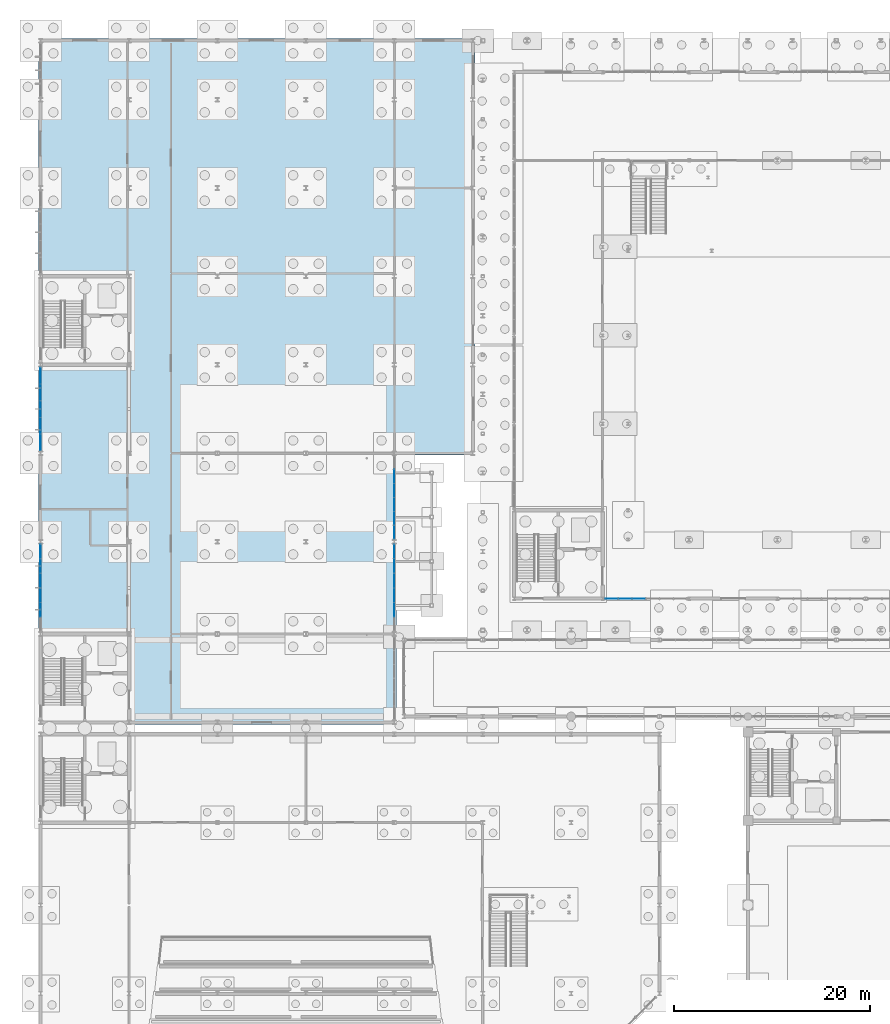
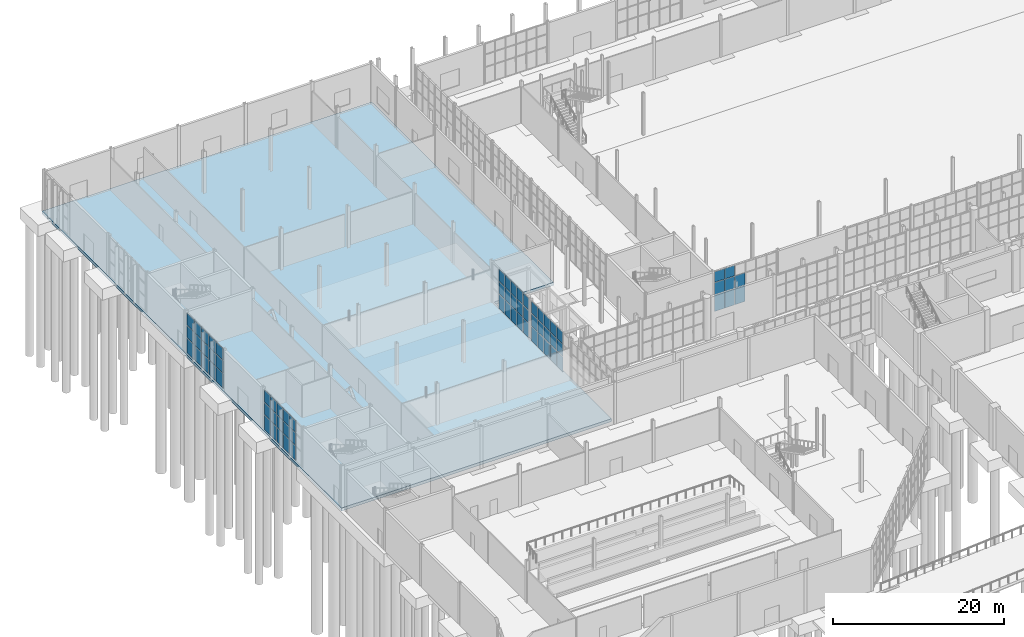
# One storey, part 80 of 131: 68 plates, 1 slab, 5 elements without a shape of their own.
"""IFC4 building model written with IfcOpenShell, lengths in metres."""

from ifc_helpers import new_model, si_unit, direction, frame, origin, origin_2d, place, context, subcontext, project, spatial, polyline, rectangle, outline, extrude, material, layer, layer_set, type_object, element, aggregate, save


model = new_model("IFC4")

# Units and contexts
model_context = context("Model", 3, precision=1e-05, world=origin(), true_north=direction((0.0, 1.0)))
body_context = subcontext(model_context, "Body", "Model", "MODEL_VIEW")
ifc_project = project(units=[si_unit("LENGTHUNIT", "METRE"), si_unit("AREAUNIT", "SQUARE_METRE"), si_unit("VOLUMEUNIT", "CUBIC_METRE"), si_unit("PLANEANGLEUNIT", "RADIAN"), si_unit("MASSUNIT", "GRAM", prefix="KILO")], contexts=[model_context])

# Site, building, storey
site_placement = place(None, origin())
site = spatial("IfcSite", under=ifc_project, at=site_placement, CompositionType="ELEMENT")
building_placement = place(site_placement, origin())
building = spatial("IfcBuilding", under=site, at=building_placement, Name="Cazmaro Siding Exhibition Halls", CompositionType="ELEMENT")
storey_placement = place(building_placement, origin())
storey = spatial("IfcBuildingStorey", under=building, at=storey_placement, Name="L00", CompositionType="ELEMENT", Elevation=0.0)

# Slab
ifc_material_1 = material(Name="Concrete f'c 35 MPa", Category="concrete")
ifc_layer_1 = layer(ifc_material_1, 0.409912109375)
ifc_layer_set_1 = layer_set([ifc_layer_1], Name="Concrete f'c 35 MPa")
slab_type = type_object("IfcSlabType", Name="BS-01", PredefinedType="BASESLAB", material=ifc_layer_set_1)
slab_placement = place(storey_placement, frame((0.0, 0.0, -0.409912109375)))
element("IfcSlab", 1, at=slab_placement, inside=storey, type_object=slab_type, Name="West Wing L00 base slab BS-01 SLB-0009", PredefinedType="BASESLAB", context=body_context, shape_type="SweptSolid", body=[
    extrude(outline(polyline([(-0.199951171875, 54.39990234375), (36.199951171875, 54.39990234375), (36.199951171875, 81.800048828125), (44.199951171875, 81.800048828125), (44.199951171875, 124.199951171875), (-0.199951171875, 124.199951171875), (-0.199951171875, 54.39990234375)])), origin(), (0.0, 0.0, 1.0), 0.409912109375),
])

# Curtain wall, plates
ifc_material_2 = material(Name="Anodized Bronze Aluminum and Solar-Control Low-E Glazing", Category="aluminium")
ifc_layer_2 = layer(ifc_material_2, 0.179931640625)
ifc_layer_set_2 = layer_set([ifc_layer_2], Name="Anodized Bronze Aluminum and Solar-Control Low-E Glazing")
curtain_wall_type_1 = type_object("IfcCurtainWallType", Name="CWS-01", PredefinedType="USERDEFINED", material=ifc_layer_set_2)
curtain_wall_1_placement = place(storey_placement, origin())
curtain_wall_1 = element("IfcCurtainWall", 2, at=curtain_wall_1_placement, inside=storey, type_object=curtain_wall_type_1, Name="Glazed Curtain Wall CWS-01 CW-003", ObjectType="GLAZED CURTAIN WALL", PredefinedType="USERDEFINED")
ifc_material_3 = material(Name="Solar-Control Low-E Double Insulating Glass", Category="glass")
ifc_layer_3 = layer(ifc_material_3, 0.02392578125)
ifc_layer_set_3 = layer_set([ifc_layer_3], Name="Solar-Control Low-E Double Insulating Glass")
plate_type_1 = type_object("IfcPlateType", Name="CWP-01", PredefinedType="CURTAIN_PANEL", material=ifc_layer_set_3)
plate_1_placement = place(storey_placement, frame((58.112548828125, 67.199951171875, 0.06005859375), z_axis=(0.0, 0.0, 1.0), x_axis=(1.0, 0.0, 0.0)))
plate_1 = element("IfcPlate", 3, at=plate_1_placement, type_object=plate_type_1, Name="CWS-01 panel 1.1", PredefinedType="CURTAIN_PANEL", context=body_context, shape_type="SweptSolid", body=[
    extrude(rectangle(XDim=1.31103515625, YDim=0.02392578125, at=origin_2d()), origin(), (0.0, 0.0, 1.0), 2.31005859375),
])
plate_2_placement = place(storey_placement, frame((58.112548828125, 67.199951171875, 2.43017578125), z_axis=(0.0, 0.0, 1.0), x_axis=(1.0, 0.0, 0.0)))
plate_2 = element("IfcPlate", 4, at=plate_2_placement, type_object=plate_type_1, Name="CWS-01 panel 1.2", PredefinedType="CURTAIN_PANEL", context=body_context, shape_type="SweptSolid", body=[
    extrude(rectangle(XDim=1.31103515625, YDim=0.02392578125, at=origin_2d()), origin(), (0.0, 0.0, 1.0), 1.739990234375),
])
plate_3_placement = place(storey_placement, frame((58.112548828125, 67.199951171875, 4.22998046875), z_axis=(0.0, 0.0, 1.0), x_axis=(1.0, 0.0, 0.0)))
plate_3 = element("IfcPlate", 5, at=plate_3_placement, type_object=plate_type_1, Name="CWS-01 panel 1.3", PredefinedType="CURTAIN_PANEL", context=body_context, shape_type="SweptSolid", body=[
    extrude(rectangle(XDim=1.31103515625, YDim=0.02392578125, at=origin_2d()), origin(), (0.0, 0.0, 1.0), 1.489990234375),
])
plate_4_placement = place(storey_placement, frame((59.49853515625, 67.199951171875, 0.06005859375), z_axis=(0.0, 0.0, 1.0), x_axis=(1.0, 0.0, 0.0)))
plate_4 = element("IfcPlate", 6, at=plate_4_placement, type_object=plate_type_1, Name="CWS-01 panel 2.1", PredefinedType="CURTAIN_PANEL", context=body_context, shape_type="SweptSolid", body=[
    extrude(rectangle(XDim=1.341064453125, YDim=0.02392578125, at=origin_2d()), origin(), (0.0, 0.0, 1.0), 2.31005859375),
])
plate_5_placement = place(storey_placement, frame((59.49853515625, 67.199951171875, 2.43017578125), z_axis=(0.0, 0.0, 1.0), x_axis=(1.0, 0.0, 0.0)))
plate_5 = element("IfcPlate", 7, at=plate_5_placement, type_object=plate_type_1, Name="CWS-01 panel 2.2", PredefinedType="CURTAIN_PANEL", context=body_context, shape_type="SweptSolid", body=[
    extrude(rectangle(XDim=1.341064453125, YDim=0.02392578125, at=origin_2d()), origin(), (0.0, 0.0, 1.0), 1.739990234375),
])
plate_6_placement = place(storey_placement, frame((59.49853515625, 67.199951171875, 4.22998046875), z_axis=(0.0, 0.0, 1.0), x_axis=(1.0, 0.0, 0.0)))
plate_6 = element("IfcPlate", 8, at=plate_6_placement, type_object=plate_type_1, Name="CWS-01 panel 2.3", PredefinedType="CURTAIN_PANEL", context=body_context, shape_type="SweptSolid", body=[
    extrude(rectangle(XDim=1.341064453125, YDim=0.02392578125, at=origin_2d()), origin(), (0.0, 0.0, 1.0), 1.489990234375),
])
plate_7_placement = place(storey_placement, frame((60.8994140625, 67.199951171875, 0.06005859375), z_axis=(0.0, 0.0, 1.0), x_axis=(1.0, 0.0, 0.0)))
plate_7 = element("IfcPlate", 9, at=plate_7_placement, type_object=plate_type_1, Name="CWS-01 panel 3.1", PredefinedType="CURTAIN_PANEL", context=body_context, shape_type="SweptSolid", body=[
    extrude(rectangle(XDim=1.341064453125, YDim=0.02392578125, at=origin_2d()), origin(), (0.0, 0.0, 1.0), 2.31005859375),
])
plate_8_placement = place(storey_placement, frame((60.8994140625, 67.199951171875, 2.43017578125), z_axis=(0.0, 0.0, 1.0), x_axis=(1.0, 0.0, 0.0)))
plate_8 = element("IfcPlate", 10, at=plate_8_placement, type_object=plate_type_1, Name="CWS-01 panel 3.2", PredefinedType="CURTAIN_PANEL", context=body_context, shape_type="SweptSolid", body=[
    extrude(rectangle(XDim=1.341064453125, YDim=0.02392578125, at=origin_2d()), origin(), (0.0, 0.0, 1.0), 1.739990234375),
])
aggregate(curtain_wall_1, [plate_1, plate_2, plate_3, plate_4, plate_5, plate_6, plate_7, plate_8])

curtain_wall_2_placement = place(storey_placement, origin())
curtain_wall_2 = element("IfcCurtainWall", 11, at=curtain_wall_2_placement, inside=storey, type_object=curtain_wall_type_1, Name="Glazed Curtain Wall CWS-01 CW-225", ObjectType="GLAZED CURTAIN WALL", PredefinedType="USERDEFINED")
plate_9_placement = place(storey_placement, frame((36.0, 66.076416015625, 0.06005859375), z_axis=(0.0, 0.0, 1.0), x_axis=(0.0, 1.0, 0.0)))
plate_9 = element("IfcPlate", 12, at=plate_9_placement, type_object=plate_type_1, Name="CWS-01 panel 2.1", PredefinedType="CURTAIN_PANEL", context=body_context, shape_type="SweptSolid", body=[
    extrude(rectangle(XDim=1.42236328125, YDim=0.02392578125, at=origin_2d()), origin(), (0.0, 0.0, 1.0), 2.110107421875),
])
plate_10_placement = place(storey_placement, frame((36.0, 66.076416015625, 2.22998046875), z_axis=(0.0, 0.0, 1.0), x_axis=(0.0, 1.0, 0.0)))
plate_10 = element("IfcPlate", 13, at=plate_10_placement, type_object=plate_type_1, Name="CWS-01 panel 2.2", PredefinedType="CURTAIN_PANEL", context=body_context, shape_type="SweptSolid", body=[
    extrude(rectangle(XDim=1.42236328125, YDim=0.02392578125, at=origin_2d()), origin(), (0.0, 0.0, 1.0), 1.739990234375),
])
plate_11_placement = place(storey_placement, frame((36.0, 66.076416015625, 4.030029296875), z_axis=(0.0, 0.0, 1.0), x_axis=(0.0, 1.0, 0.0)))
plate_11 = element("IfcPlate", 14, at=plate_11_placement, type_object=plate_type_1, Name="CWS-01 panel 2.3", PredefinedType="CURTAIN_PANEL", context=body_context, shape_type="SweptSolid", body=[
    extrude(rectangle(XDim=1.42236328125, YDim=0.02392578125, at=origin_2d()), origin(), (0.0, 0.0, 1.0), 1.68994140625),
])
plate_12_placement = place(storey_placement, frame((36.0, 67.558837890625, 0.06005859375), z_axis=(0.0, 0.0, 1.0), x_axis=(0.0, 1.0, 0.0)))
plate_12 = element("IfcPlate", 15, at=plate_12_placement, type_object=plate_type_1, Name="CWS-01 panel 3.1", PredefinedType="CURTAIN_PANEL", context=body_context, shape_type="SweptSolid", body=[
    extrude(rectangle(XDim=1.42236328125, YDim=0.02392578125, at=origin_2d()), origin(), (0.0, 0.0, 1.0), 2.110107421875),
])
plate_13_placement = place(storey_placement, frame((36.0, 67.558837890625, 2.22998046875), z_axis=(0.0, 0.0, 1.0), x_axis=(0.0, 1.0, 0.0)))
plate_13 = element("IfcPlate", 16, at=plate_13_placement, type_object=plate_type_1, Name="CWS-01 panel 3.2", PredefinedType="CURTAIN_PANEL", context=body_context, shape_type="SweptSolid", body=[
    extrude(rectangle(XDim=1.42236328125, YDim=0.02392578125, at=origin_2d()), origin(), (0.0, 0.0, 1.0), 1.739990234375),
])
plate_14_placement = place(storey_placement, frame((36.0, 67.558837890625, 4.030029296875), z_axis=(0.0, 0.0, 1.0), x_axis=(0.0, 1.0, 0.0)))
plate_14 = element("IfcPlate", 17, at=plate_14_placement, type_object=plate_type_1, Name="CWS-01 panel 3.3", PredefinedType="CURTAIN_PANEL", context=body_context, shape_type="SweptSolid", body=[
    extrude(rectangle(XDim=1.42236328125, YDim=0.02392578125, at=origin_2d()), origin(), (0.0, 0.0, 1.0), 1.68994140625),
])
plate_15_placement = place(storey_placement, frame((36.0, 69.041259765625, 0.06005859375), z_axis=(0.0, 0.0, 1.0), x_axis=(0.0, 1.0, 0.0)))
plate_15 = element("IfcPlate", 18, at=plate_15_placement, type_object=plate_type_1, Name="CWS-01 panel 4.1", PredefinedType="CURTAIN_PANEL", context=body_context, shape_type="SweptSolid", body=[
    extrude(rectangle(XDim=1.42236328125, YDim=0.02392578125, at=origin_2d()), origin(), (0.0, 0.0, 1.0), 2.110107421875),
])
plate_16_placement = place(storey_placement, frame((36.0, 69.041259765625, 2.22998046875), z_axis=(0.0, 0.0, 1.0), x_axis=(0.0, 1.0, 0.0)))
plate_16 = element("IfcPlate", 19, at=plate_16_placement, type_object=plate_type_1, Name="CWS-01 panel 4.2", PredefinedType="CURTAIN_PANEL", context=body_context, shape_type="SweptSolid", body=[
    extrude(rectangle(XDim=1.42236328125, YDim=0.02392578125, at=origin_2d()), origin(), (0.0, 0.0, 1.0), 1.739990234375),
])
plate_17_placement = place(storey_placement, frame((36.0, 69.041259765625, 4.030029296875), z_axis=(0.0, 0.0, 1.0), x_axis=(0.0, 1.0, 0.0)))
plate_17 = element("IfcPlate", 20, at=plate_17_placement, type_object=plate_type_1, Name="CWS-01 panel 4.3", PredefinedType="CURTAIN_PANEL", context=body_context, shape_type="SweptSolid", body=[
    extrude(rectangle(XDim=1.42236328125, YDim=0.02392578125, at=origin_2d()), origin(), (0.0, 0.0, 1.0), 1.68994140625),
])
plate_18_placement = place(storey_placement, frame((36.0, 70.5234375, 0.06005859375), z_axis=(0.0, 0.0, 1.0), x_axis=(0.0, 1.0, 0.0)))
plate_18 = element("IfcPlate", 21, at=plate_18_placement, type_object=plate_type_1, Name="CWS-01 panel 5.1", PredefinedType="CURTAIN_PANEL", context=body_context, shape_type="SweptSolid", body=[
    extrude(rectangle(XDim=1.42236328125, YDim=0.02392578125, at=origin_2d()), origin(), (0.0, 0.0, 1.0), 2.110107421875),
])
plate_19_placement = place(storey_placement, frame((36.0, 70.5234375, 2.22998046875), z_axis=(0.0, 0.0, 1.0), x_axis=(0.0, 1.0, 0.0)))
plate_19 = element("IfcPlate", 22, at=plate_19_placement, type_object=plate_type_1, Name="CWS-01 panel 5.2", PredefinedType="CURTAIN_PANEL", context=body_context, shape_type="SweptSolid", body=[
    extrude(rectangle(XDim=1.42236328125, YDim=0.02392578125, at=origin_2d()), origin(), (0.0, 0.0, 1.0), 1.739990234375),
])
plate_20_placement = place(storey_placement, frame((36.0, 70.5234375, 4.030029296875), z_axis=(0.0, 0.0, 1.0), x_axis=(0.0, 1.0, 0.0)))
plate_20 = element("IfcPlate", 23, at=plate_20_placement, type_object=plate_type_1, Name="CWS-01 panel 5.3", PredefinedType="CURTAIN_PANEL", context=body_context, shape_type="SweptSolid", body=[
    extrude(rectangle(XDim=1.42236328125, YDim=0.02392578125, at=origin_2d()), origin(), (0.0, 0.0, 1.0), 1.68994140625),
])
plate_21_placement = place(storey_placement, frame((36.0, 71.99072265625, 0.06005859375), z_axis=(0.0, 0.0, 1.0), x_axis=(0.0, 1.0, 0.0)))
plate_21 = element("IfcPlate", 24, at=plate_21_placement, type_object=plate_type_1, Name="CWS-01 panel 6.1", PredefinedType="CURTAIN_PANEL", context=body_context, shape_type="SweptSolid", body=[
    extrude(rectangle(XDim=1.392333984375, YDim=0.02392578125, at=origin_2d()), origin(), (0.0, 0.0, 1.0), 2.110107421875),
])
plate_22_placement = place(storey_placement, frame((36.0, 71.99072265625, 2.22998046875), z_axis=(0.0, 0.0, 1.0), x_axis=(0.0, 1.0, 0.0)))
plate_22 = element("IfcPlate", 25, at=plate_22_placement, type_object=plate_type_1, Name="CWS-01 panel 6.2", PredefinedType="CURTAIN_PANEL", context=body_context, shape_type="SweptSolid", body=[
    extrude(rectangle(XDim=1.392333984375, YDim=0.02392578125, at=origin_2d()), origin(), (0.0, 0.0, 1.0), 1.739990234375),
])
plate_23_placement = place(storey_placement, frame((36.0, 71.99072265625, 4.030029296875), z_axis=(0.0, 0.0, 1.0), x_axis=(0.0, 1.0, 0.0)))
plate_23 = element("IfcPlate", 26, at=plate_23_placement, type_object=plate_type_1, Name="CWS-01 panel 6.3", PredefinedType="CURTAIN_PANEL", context=body_context, shape_type="SweptSolid", body=[
    extrude(rectangle(XDim=1.392333984375, YDim=0.02392578125, at=origin_2d()), origin(), (0.0, 0.0, 1.0), 1.68994140625),
])
aggregate(curtain_wall_2, [plate_9, plate_10, plate_11, plate_12, plate_13, plate_14, plate_15, plate_16, plate_17, plate_18, plate_19, plate_20, plate_21, plate_22, plate_23])

curtain_wall_3_placement = place(storey_placement, origin())
curtain_wall_3 = element("IfcCurtainWall", 27, at=curtain_wall_3_placement, inside=storey, type_object=curtain_wall_type_1, Name="Glazed Curtain Wall CWS-01 CW-226", ObjectType="GLAZED CURTAIN WALL", PredefinedType="USERDEFINED")
plate_24_placement = place(storey_placement, frame((36.0, 73.975830078125, 0.06005859375), z_axis=(0.0, 0.0, 1.0), x_axis=(0.0, 1.0, 0.0)))
plate_24 = element("IfcPlate", 28, at=plate_24_placement, type_object=plate_type_1, Name="CWS-01 panel 1.1", PredefinedType="CURTAIN_PANEL", context=body_context, shape_type="SweptSolid", body=[
    extrude(rectangle(XDim=1.32568359375, YDim=0.02392578125, at=origin_2d()), origin(), (0.0, 0.0, 1.0), 2.110107421875),
])
plate_25_placement = place(storey_placement, frame((36.0, 73.975830078125, 2.22998046875), z_axis=(0.0, 0.0, 1.0), x_axis=(0.0, 1.0, 0.0)))
plate_25 = element("IfcPlate", 29, at=plate_25_placement, type_object=plate_type_1, Name="CWS-01 panel 1.2", PredefinedType="CURTAIN_PANEL", context=body_context, shape_type="SweptSolid", body=[
    extrude(rectangle(XDim=1.32568359375, YDim=0.02392578125, at=origin_2d()), origin(), (0.0, 0.0, 1.0), 1.739990234375),
])
plate_26_placement = place(storey_placement, frame((36.0, 73.975830078125, 4.030029296875), z_axis=(0.0, 0.0, 1.0), x_axis=(0.0, 1.0, 0.0)))
plate_26 = element("IfcPlate", 30, at=plate_26_placement, type_object=plate_type_1, Name="CWS-01 panel 1.3", PredefinedType="CURTAIN_PANEL", context=body_context, shape_type="SweptSolid", body=[
    extrude(rectangle(XDim=1.32568359375, YDim=0.02392578125, at=origin_2d()), origin(), (0.0, 0.0, 1.0), 1.68994140625),
])
plate_27_placement = place(storey_placement, frame((36.0, 75.37646484375, 0.06005859375), z_axis=(0.0, 0.0, 1.0), x_axis=(0.0, 1.0, 0.0)))
plate_27 = element("IfcPlate", 31, at=plate_27_placement, type_object=plate_type_1, Name="CWS-01 panel 2.1", PredefinedType="CURTAIN_PANEL", context=body_context, shape_type="SweptSolid", body=[
    extrude(rectangle(XDim=1.355712890625, YDim=0.02392578125, at=origin_2d()), origin(), (0.0, 0.0, 1.0), 2.110107421875),
])
plate_28_placement = place(storey_placement, frame((36.0, 75.37646484375, 2.22998046875), z_axis=(0.0, 0.0, 1.0), x_axis=(0.0, 1.0, 0.0)))
plate_28 = element("IfcPlate", 32, at=plate_28_placement, type_object=plate_type_1, Name="CWS-01 panel 2.2", PredefinedType="CURTAIN_PANEL", context=body_context, shape_type="SweptSolid", body=[
    extrude(rectangle(XDim=1.355712890625, YDim=0.02392578125, at=origin_2d()), origin(), (0.0, 0.0, 1.0), 1.739990234375),
])
plate_29_placement = place(storey_placement, frame((36.0, 75.37646484375, 4.030029296875), z_axis=(0.0, 0.0, 1.0), x_axis=(0.0, 1.0, 0.0)))
plate_29 = element("IfcPlate", 33, at=plate_29_placement, type_object=plate_type_1, Name="CWS-01 panel 2.3", PredefinedType="CURTAIN_PANEL", context=body_context, shape_type="SweptSolid", body=[
    extrude(rectangle(XDim=1.355712890625, YDim=0.02392578125, at=origin_2d()), origin(), (0.0, 0.0, 1.0), 1.68994140625),
])
plate_30_placement = place(storey_placement, frame((36.0, 76.792236328125, 0.06005859375), z_axis=(0.0, 0.0, 1.0), x_axis=(0.0, 1.0, 0.0)))
plate_30 = element("IfcPlate", 34, at=plate_30_placement, type_object=plate_type_1, Name="CWS-01 panel 3.1", PredefinedType="CURTAIN_PANEL", context=body_context, shape_type="SweptSolid", body=[
    extrude(rectangle(XDim=1.355712890625, YDim=0.02392578125, at=origin_2d()), origin(), (0.0, 0.0, 1.0), 2.110107421875),
])
plate_31_placement = place(storey_placement, frame((36.0, 76.792236328125, 2.22998046875), z_axis=(0.0, 0.0, 1.0), x_axis=(0.0, 1.0, 0.0)))
plate_31 = element("IfcPlate", 35, at=plate_31_placement, type_object=plate_type_1, Name="CWS-01 panel 3.2", PredefinedType="CURTAIN_PANEL", context=body_context, shape_type="SweptSolid", body=[
    extrude(rectangle(XDim=1.355712890625, YDim=0.02392578125, at=origin_2d()), origin(), (0.0, 0.0, 1.0), 1.739990234375),
])
plate_32_placement = place(storey_placement, frame((36.0, 76.792236328125, 4.030029296875), z_axis=(0.0, 0.0, 1.0), x_axis=(0.0, 1.0, 0.0)))
plate_32 = element("IfcPlate", 36, at=plate_32_placement, type_object=plate_type_1, Name="CWS-01 panel 3.3", PredefinedType="CURTAIN_PANEL", context=body_context, shape_type="SweptSolid", body=[
    extrude(rectangle(XDim=1.355712890625, YDim=0.02392578125, at=origin_2d()), origin(), (0.0, 0.0, 1.0), 1.68994140625),
])
plate_33_placement = place(storey_placement, frame((36.0, 78.207763671875, 0.06005859375), z_axis=(0.0, 0.0, 1.0), x_axis=(0.0, 1.0, 0.0)))
plate_33 = element("IfcPlate", 37, at=plate_33_placement, type_object=plate_type_1, Name="CWS-01 panel 4.1", PredefinedType="CURTAIN_PANEL", context=body_context, shape_type="SweptSolid", body=[
    extrude(rectangle(XDim=1.355712890625, YDim=0.02392578125, at=origin_2d()), origin(), (0.0, 0.0, 1.0), 2.110107421875),
])
plate_34_placement = place(storey_placement, frame((36.0, 78.207763671875, 2.22998046875), z_axis=(0.0, 0.0, 1.0), x_axis=(0.0, 1.0, 0.0)))
plate_34 = element("IfcPlate", 38, at=plate_34_placement, type_object=plate_type_1, Name="CWS-01 panel 4.2", PredefinedType="CURTAIN_PANEL", context=body_context, shape_type="SweptSolid", body=[
    extrude(rectangle(XDim=1.355712890625, YDim=0.02392578125, at=origin_2d()), origin(), (0.0, 0.0, 1.0), 1.739990234375),
])
plate_35_placement = place(storey_placement, frame((36.0, 78.207763671875, 4.030029296875), z_axis=(0.0, 0.0, 1.0), x_axis=(0.0, 1.0, 0.0)))
plate_35 = element("IfcPlate", 39, at=plate_35_placement, type_object=plate_type_1, Name="CWS-01 panel 4.3", PredefinedType="CURTAIN_PANEL", context=body_context, shape_type="SweptSolid", body=[
    extrude(rectangle(XDim=1.355712890625, YDim=0.02392578125, at=origin_2d()), origin(), (0.0, 0.0, 1.0), 1.68994140625),
])
plate_36_placement = place(storey_placement, frame((36.0, 79.62353515625, 0.06005859375), z_axis=(0.0, 0.0, 1.0), x_axis=(0.0, 1.0, 0.0)))
plate_36 = element("IfcPlate", 40, at=plate_36_placement, type_object=plate_type_1, Name="CWS-01 panel 5.1", PredefinedType="CURTAIN_PANEL", context=body_context, shape_type="SweptSolid", body=[
    extrude(rectangle(XDim=1.355712890625, YDim=0.02392578125, at=origin_2d()), origin(), (0.0, 0.0, 1.0), 2.110107421875),
])
plate_37_placement = place(storey_placement, frame((36.0, 79.62353515625, 2.22998046875), z_axis=(0.0, 0.0, 1.0), x_axis=(0.0, 1.0, 0.0)))
plate_37 = element("IfcPlate", 41, at=plate_37_placement, type_object=plate_type_1, Name="CWS-01 panel 5.2", PredefinedType="CURTAIN_PANEL", context=body_context, shape_type="SweptSolid", body=[
    extrude(rectangle(XDim=1.355712890625, YDim=0.02392578125, at=origin_2d()), origin(), (0.0, 0.0, 1.0), 1.739990234375),
])
plate_38_placement = place(storey_placement, frame((36.0, 79.62353515625, 4.030029296875), z_axis=(0.0, 0.0, 1.0), x_axis=(0.0, 1.0, 0.0)))
plate_38 = element("IfcPlate", 42, at=plate_38_placement, type_object=plate_type_1, Name="CWS-01 panel 5.3", PredefinedType="CURTAIN_PANEL", context=body_context, shape_type="SweptSolid", body=[
    extrude(rectangle(XDim=1.355712890625, YDim=0.02392578125, at=origin_2d()), origin(), (0.0, 0.0, 1.0), 1.68994140625),
])
aggregate(curtain_wall_3, [plate_24, plate_25, plate_26, plate_27, plate_28, plate_29, plate_30, plate_31, plate_32, plate_33, plate_34, plate_35, plate_36, plate_37, plate_38])

ifc_material_4 = material(Name="Anodized Bronze Aluminum and Solar-Control Low-E Glazing", Category="aluminium")
ifc_layer_4 = layer(ifc_material_4, 0.199951171875)
ifc_layer_set_4 = layer_set([ifc_layer_4], Name="Anodized Bronze Aluminum and Solar-Control Low-E Glazing")
curtain_wall_type_2 = type_object("IfcCurtainWallType", Name="CWS-02", PredefinedType="USERDEFINED", material=ifc_layer_set_4)
curtain_wall_4_placement = place(storey_placement, origin())
curtain_wall_4 = element("IfcCurtainWall", 43, at=curtain_wall_4_placement, inside=storey, type_object=curtain_wall_type_2, Name="Glazed Curtain Wall CWS-02 CW-224", ObjectType="GLAZED CURTAIN WALL", PredefinedType="USERDEFINED")
ifc_material_5 = material(Name="Solar-Control Low-E Double Insulating Glass", Category="glass")
ifc_layer_5 = layer(ifc_material_5, 0.035888671875)
ifc_layer_set_5 = layer_set([ifc_layer_5], Name="Solar-Control Low-E Double Insulating Glass")
plate_type_2 = type_object("IfcPlateType", Name="CWP-02", PredefinedType="CURTAIN_PANEL", material=ifc_layer_set_5)
plate_39_placement = place(storey_placement, frame((0.0, 71.989501953125, 0.06494140625), z_axis=(0.0, 0.0, 1.0), x_axis=(0.0, -1.0, 0.0)))
plate_39 = element("IfcPlate", 44, at=plate_39_placement, type_object=plate_type_2, Name="CWS-02 panel 1.1", PredefinedType="CURTAIN_PANEL", context=body_context, shape_type="SweptSolid", body=[
    extrude(rectangle(XDim=1.384765625, YDim=0.035888671875, at=origin_2d()), origin(), (0.0, 0.0, 1.0), 2.1025390625),
])
plate_40_placement = place(storey_placement, frame((0.0, 71.989501953125, 2.232421875), z_axis=(0.0, 0.0, 1.0), x_axis=(0.0, -1.0, 0.0)))
plate_40 = element("IfcPlate", 45, at=plate_40_placement, type_object=plate_type_2, Name="CWS-02 panel 1.2", PredefinedType="CURTAIN_PANEL", context=body_context, shape_type="SweptSolid", body=[
    extrude(rectangle(XDim=1.384765625, YDim=0.035888671875, at=origin_2d()), origin(), (0.0, 0.0, 1.0), 1.735107421875),
])
plate_41_placement = place(storey_placement, frame((0.0, 71.989501953125, 4.032470703125), z_axis=(0.0, 0.0, 1.0), x_axis=(0.0, -1.0, 0.0)))
plate_41 = element("IfcPlate", 46, at=plate_41_placement, type_object=plate_type_2, Name="CWS-02 panel 1.3", PredefinedType="CURTAIN_PANEL", context=body_context, shape_type="SweptSolid", body=[
    extrude(rectangle(XDim=1.384765625, YDim=0.035888671875, at=origin_2d()), origin(), (0.0, 0.0, 1.0), 1.6826171875),
])
plate_42_placement = place(storey_placement, frame((0.0, 70.5234375, 0.06494140625), z_axis=(0.0, 0.0, 1.0), x_axis=(0.0, -1.0, 0.0)))
plate_42 = element("IfcPlate", 47, at=plate_42_placement, type_object=plate_type_2, Name="CWS-02 panel 2.1", PredefinedType="CURTAIN_PANEL", context=body_context, shape_type="SweptSolid", body=[
    extrude(rectangle(XDim=1.417236328125, YDim=0.035888671875, at=origin_2d()), origin(), (0.0, 0.0, 1.0), 2.1025390625),
])
plate_43_placement = place(storey_placement, frame((0.0, 70.5234375, 2.232421875), z_axis=(0.0, 0.0, 1.0), x_axis=(0.0, -1.0, 0.0)))
plate_43 = element("IfcPlate", 48, at=plate_43_placement, type_object=plate_type_2, Name="CWS-02 panel 2.2", PredefinedType="CURTAIN_PANEL", context=body_context, shape_type="SweptSolid", body=[
    extrude(rectangle(XDim=1.417236328125, YDim=0.035888671875, at=origin_2d()), origin(), (0.0, 0.0, 1.0), 1.735107421875),
])
plate_44_placement = place(storey_placement, frame((0.0, 70.5234375, 4.032470703125), z_axis=(0.0, 0.0, 1.0), x_axis=(0.0, -1.0, 0.0)))
plate_44 = element("IfcPlate", 49, at=plate_44_placement, type_object=plate_type_2, Name="CWS-02 panel 2.3", PredefinedType="CURTAIN_PANEL", context=body_context, shape_type="SweptSolid", body=[
    extrude(rectangle(XDim=1.417236328125, YDim=0.035888671875, at=origin_2d()), origin(), (0.0, 0.0, 1.0), 1.6826171875),
])
plate_45_placement = place(storey_placement, frame((0.0, 69.041259765625, 0.06494140625), z_axis=(0.0, 0.0, 1.0), x_axis=(0.0, -1.0, 0.0)))
plate_45 = element("IfcPlate", 50, at=plate_45_placement, type_object=plate_type_2, Name="CWS-02 panel 3.1", PredefinedType="CURTAIN_PANEL", context=body_context, shape_type="SweptSolid", body=[
    extrude(rectangle(XDim=1.417236328125, YDim=0.035888671875, at=origin_2d()), origin(), (0.0, 0.0, 1.0), 2.1025390625),
])
plate_46_placement = place(storey_placement, frame((0.0, 69.041259765625, 2.232421875), z_axis=(0.0, 0.0, 1.0), x_axis=(0.0, -1.0, 0.0)))
plate_46 = element("IfcPlate", 51, at=plate_46_placement, type_object=plate_type_2, Name="CWS-02 panel 3.2", PredefinedType="CURTAIN_PANEL", context=body_context, shape_type="SweptSolid", body=[
    extrude(rectangle(XDim=1.417236328125, YDim=0.035888671875, at=origin_2d()), origin(), (0.0, 0.0, 1.0), 1.735107421875),
])
plate_47_placement = place(storey_placement, frame((0.0, 69.041259765625, 4.032470703125), z_axis=(0.0, 0.0, 1.0), x_axis=(0.0, -1.0, 0.0)))
plate_47 = element("IfcPlate", 52, at=plate_47_placement, type_object=plate_type_2, Name="CWS-02 panel 3.3", PredefinedType="CURTAIN_PANEL", context=body_context, shape_type="SweptSolid", body=[
    extrude(rectangle(XDim=1.417236328125, YDim=0.035888671875, at=origin_2d()), origin(), (0.0, 0.0, 1.0), 1.6826171875),
])
plate_48_placement = place(storey_placement, frame((0.0, 67.558837890625, 0.06494140625), z_axis=(0.0, 0.0, 1.0), x_axis=(0.0, -1.0, 0.0)))
plate_48 = element("IfcPlate", 53, at=plate_48_placement, type_object=plate_type_2, Name="CWS-02 panel 4.1", PredefinedType="CURTAIN_PANEL", context=body_context, shape_type="SweptSolid", body=[
    extrude(rectangle(XDim=1.417236328125, YDim=0.035888671875, at=origin_2d()), origin(), (0.0, 0.0, 1.0), 2.1025390625),
])
plate_49_placement = place(storey_placement, frame((0.0, 67.558837890625, 2.232421875), z_axis=(0.0, 0.0, 1.0), x_axis=(0.0, -1.0, 0.0)))
plate_49 = element("IfcPlate", 54, at=plate_49_placement, type_object=plate_type_2, Name="CWS-02 panel 4.2", PredefinedType="CURTAIN_PANEL", context=body_context, shape_type="SweptSolid", body=[
    extrude(rectangle(XDim=1.417236328125, YDim=0.035888671875, at=origin_2d()), origin(), (0.0, 0.0, 1.0), 1.735107421875),
])
plate_50_placement = place(storey_placement, frame((0.0, 67.558837890625, 4.032470703125), z_axis=(0.0, 0.0, 1.0), x_axis=(0.0, -1.0, 0.0)))
plate_50 = element("IfcPlate", 55, at=plate_50_placement, type_object=plate_type_2, Name="CWS-02 panel 4.3", PredefinedType="CURTAIN_PANEL", context=body_context, shape_type="SweptSolid", body=[
    extrude(rectangle(XDim=1.417236328125, YDim=0.035888671875, at=origin_2d()), origin(), (0.0, 0.0, 1.0), 1.6826171875),
])
plate_51_placement = place(storey_placement, frame((0.0, 66.076416015625, 0.06494140625), z_axis=(0.0, 0.0, 1.0), x_axis=(0.0, -1.0, 0.0)))
plate_51 = element("IfcPlate", 56, at=plate_51_placement, type_object=plate_type_2, Name="CWS-02 panel 5.1", PredefinedType="CURTAIN_PANEL", context=body_context, shape_type="SweptSolid", body=[
    extrude(rectangle(XDim=1.417236328125, YDim=0.035888671875, at=origin_2d()), origin(), (0.0, 0.0, 1.0), 2.1025390625),
])
plate_52_placement = place(storey_placement, frame((0.0, 66.076416015625, 2.232421875), z_axis=(0.0, 0.0, 1.0), x_axis=(0.0, -1.0, 0.0)))
plate_52 = element("IfcPlate", 57, at=plate_52_placement, type_object=plate_type_2, Name="CWS-02 panel 5.2", PredefinedType="CURTAIN_PANEL", context=body_context, shape_type="SweptSolid", body=[
    extrude(rectangle(XDim=1.417236328125, YDim=0.035888671875, at=origin_2d()), origin(), (0.0, 0.0, 1.0), 1.735107421875),
])
plate_53_placement = place(storey_placement, frame((0.0, 66.076416015625, 4.032470703125), z_axis=(0.0, 0.0, 1.0), x_axis=(0.0, -1.0, 0.0)))
plate_53 = element("IfcPlate", 58, at=plate_53_placement, type_object=plate_type_2, Name="CWS-02 panel 5.3", PredefinedType="CURTAIN_PANEL", context=body_context, shape_type="SweptSolid", body=[
    extrude(rectangle(XDim=1.417236328125, YDim=0.035888671875, at=origin_2d()), origin(), (0.0, 0.0, 1.0), 1.6826171875),
])
aggregate(curtain_wall_4, [plate_39, plate_40, plate_41, plate_42, plate_43, plate_44, plate_45, plate_46, plate_47, plate_48, plate_49, plate_50, plate_51, plate_52, plate_53])

curtain_wall_5_placement = place(storey_placement, origin())
curtain_wall_5 = element("IfcCurtainWall", 59, at=curtain_wall_5_placement, inside=storey, type_object=curtain_wall_type_2, Name="Glazed Curtain Wall CWS-02 CW-227", ObjectType="GLAZED CURTAIN WALL", PredefinedType="USERDEFINED")
plate_54_placement = place(storey_placement, frame((0.0, 89.88134765625, 0.06494140625), z_axis=(0.0, 0.0, 1.0), x_axis=(0.0, -1.0, 0.0)))
plate_54 = element("IfcPlate", 60, at=plate_54_placement, type_object=plate_type_2, Name="CWS-02 panel 1.1", PredefinedType="CURTAIN_PANEL", context=body_context, shape_type="SweptSolid", body=[
    extrude(rectangle(XDim=1.601318359375, YDim=0.035888671875, at=origin_2d()), origin(), (0.0, 0.0, 1.0), 2.1025390625),
])
plate_55_placement = place(storey_placement, frame((0.0, 89.88134765625, 2.232421875), z_axis=(0.0, 0.0, 1.0), x_axis=(0.0, -1.0, 0.0)))
plate_55 = element("IfcPlate", 61, at=plate_55_placement, type_object=plate_type_2, Name="CWS-02 panel 1.2", PredefinedType="CURTAIN_PANEL", context=body_context, shape_type="SweptSolid", body=[
    extrude(rectangle(XDim=1.601318359375, YDim=0.035888671875, at=origin_2d()), origin(), (0.0, 0.0, 1.0), 1.735107421875),
])
plate_56_placement = place(storey_placement, frame((0.0, 89.88134765625, 4.032470703125), z_axis=(0.0, 0.0, 1.0), x_axis=(0.0, -1.0, 0.0)))
plate_56 = element("IfcPlate", 62, at=plate_56_placement, type_object=plate_type_2, Name="CWS-02 panel 1.3", PredefinedType="CURTAIN_PANEL", context=body_context, shape_type="SweptSolid", body=[
    extrude(rectangle(XDim=1.601318359375, YDim=0.035888671875, at=origin_2d()), origin(), (0.0, 0.0, 1.0), 1.6826171875),
])
plate_57_placement = place(storey_placement, frame((0.0, 88.19873046875, 0.06494140625), z_axis=(0.0, 0.0, 1.0), x_axis=(0.0, -1.0, 0.0)))
plate_57 = element("IfcPlate", 63, at=plate_57_placement, type_object=plate_type_2, Name="CWS-02 panel 2.1", PredefinedType="CURTAIN_PANEL", context=body_context, shape_type="SweptSolid", body=[
    extrude(rectangle(XDim=1.6337890625, YDim=0.035888671875, at=origin_2d()), origin(), (0.0, 0.0, 1.0), 2.1025390625),
])
plate_58_placement = place(storey_placement, frame((0.0, 88.19873046875, 2.232421875), z_axis=(0.0, 0.0, 1.0), x_axis=(0.0, -1.0, 0.0)))
plate_58 = element("IfcPlate", 64, at=plate_58_placement, type_object=plate_type_2, Name="CWS-02 panel 2.2", PredefinedType="CURTAIN_PANEL", context=body_context, shape_type="SweptSolid", body=[
    extrude(rectangle(XDim=1.6337890625, YDim=0.035888671875, at=origin_2d()), origin(), (0.0, 0.0, 1.0), 1.735107421875),
])
plate_59_placement = place(storey_placement, frame((0.0, 88.19873046875, 4.032470703125), z_axis=(0.0, 0.0, 1.0), x_axis=(0.0, -1.0, 0.0)))
plate_59 = element("IfcPlate", 65, at=plate_59_placement, type_object=plate_type_2, Name="CWS-02 panel 2.3", PredefinedType="CURTAIN_PANEL", context=body_context, shape_type="SweptSolid", body=[
    extrude(rectangle(XDim=1.6337890625, YDim=0.035888671875, at=origin_2d()), origin(), (0.0, 0.0, 1.0), 1.6826171875),
])
plate_60_placement = place(storey_placement, frame((0.0, 86.5, 0.06494140625), z_axis=(0.0, 0.0, 1.0), x_axis=(0.0, -1.0, 0.0)))
plate_60 = element("IfcPlate", 66, at=plate_60_placement, type_object=plate_type_2, Name="CWS-02 panel 3.1", PredefinedType="CURTAIN_PANEL", context=body_context, shape_type="SweptSolid", body=[
    extrude(rectangle(XDim=1.6337890625, YDim=0.035888671875, at=origin_2d()), origin(), (0.0, 0.0, 1.0), 2.1025390625),
])
plate_61_placement = place(storey_placement, frame((0.0, 86.5, 2.232421875), z_axis=(0.0, 0.0, 1.0), x_axis=(0.0, -1.0, 0.0)))
plate_61 = element("IfcPlate", 67, at=plate_61_placement, type_object=plate_type_2, Name="CWS-02 panel 3.2", PredefinedType="CURTAIN_PANEL", context=body_context, shape_type="SweptSolid", body=[
    extrude(rectangle(XDim=1.6337890625, YDim=0.035888671875, at=origin_2d()), origin(), (0.0, 0.0, 1.0), 1.735107421875),
])
plate_62_placement = place(storey_placement, frame((0.0, 86.5, 4.032470703125), z_axis=(0.0, 0.0, 1.0), x_axis=(0.0, -1.0, 0.0)))
plate_62 = element("IfcPlate", 68, at=plate_62_placement, type_object=plate_type_2, Name="CWS-02 panel 3.3", PredefinedType="CURTAIN_PANEL", context=body_context, shape_type="SweptSolid", body=[
    extrude(rectangle(XDim=1.6337890625, YDim=0.035888671875, at=origin_2d()), origin(), (0.0, 0.0, 1.0), 1.6826171875),
])
plate_63_placement = place(storey_placement, frame((0.0, 84.80126953125, 0.06494140625), z_axis=(0.0, 0.0, 1.0), x_axis=(0.0, -1.0, 0.0)))
plate_63 = element("IfcPlate", 69, at=plate_63_placement, type_object=plate_type_2, Name="CWS-02 panel 4.1", PredefinedType="CURTAIN_PANEL", context=body_context, shape_type="SweptSolid", body=[
    extrude(rectangle(XDim=1.6337890625, YDim=0.035888671875, at=origin_2d()), origin(), (0.0, 0.0, 1.0), 2.1025390625),
])
plate_64_placement = place(storey_placement, frame((0.0, 84.80126953125, 2.232421875), z_axis=(0.0, 0.0, 1.0), x_axis=(0.0, -1.0, 0.0)))
plate_64 = element("IfcPlate", 70, at=plate_64_placement, type_object=plate_type_2, Name="CWS-02 panel 4.2", PredefinedType="CURTAIN_PANEL", context=body_context, shape_type="SweptSolid", body=[
    extrude(rectangle(XDim=1.6337890625, YDim=0.035888671875, at=origin_2d()), origin(), (0.0, 0.0, 1.0), 1.735107421875),
])
plate_65_placement = place(storey_placement, frame((0.0, 84.80126953125, 4.032470703125), z_axis=(0.0, 0.0, 1.0), x_axis=(0.0, -1.0, 0.0)))
plate_65 = element("IfcPlate", 71, at=plate_65_placement, type_object=plate_type_2, Name="CWS-02 panel 4.3", PredefinedType="CURTAIN_PANEL", context=body_context, shape_type="SweptSolid", body=[
    extrude(rectangle(XDim=1.6337890625, YDim=0.035888671875, at=origin_2d()), origin(), (0.0, 0.0, 1.0), 1.6826171875),
])
plate_66_placement = place(storey_placement, frame((0.0, 83.11865234375, 0.06494140625), z_axis=(0.0, 0.0, 1.0), x_axis=(0.0, -1.0, 0.0)))
plate_66 = element("IfcPlate", 72, at=plate_66_placement, type_object=plate_type_2, Name="CWS-02 panel 5.1", PredefinedType="CURTAIN_PANEL", context=body_context, shape_type="SweptSolid", body=[
    extrude(rectangle(XDim=1.601318359375, YDim=0.035888671875, at=origin_2d()), origin(), (0.0, 0.0, 1.0), 2.1025390625),
])
plate_67_placement = place(storey_placement, frame((0.0, 83.11865234375, 2.232421875), z_axis=(0.0, 0.0, 1.0), x_axis=(0.0, -1.0, 0.0)))
plate_67 = element("IfcPlate", 73, at=plate_67_placement, type_object=plate_type_2, Name="CWS-02 panel 5.2", PredefinedType="CURTAIN_PANEL", context=body_context, shape_type="SweptSolid", body=[
    extrude(rectangle(XDim=1.601318359375, YDim=0.035888671875, at=origin_2d()), origin(), (0.0, 0.0, 1.0), 1.735107421875),
])
plate_68_placement = place(storey_placement, frame((0.0, 83.11865234375, 4.032470703125), z_axis=(0.0, 0.0, 1.0), x_axis=(0.0, -1.0, 0.0)))
plate_68 = element("IfcPlate", 74, at=plate_68_placement, type_object=plate_type_2, Name="CWS-02 panel 5.3", PredefinedType="CURTAIN_PANEL", context=body_context, shape_type="SweptSolid", body=[
    extrude(rectangle(XDim=1.601318359375, YDim=0.035888671875, at=origin_2d()), origin(), (0.0, 0.0, 1.0), 1.6826171875),
])
aggregate(curtain_wall_5, [plate_54, plate_55, plate_56, plate_57, plate_58, plate_59, plate_60, plate_61, plate_62, plate_63, plate_64, plate_65, plate_66, plate_67, plate_68])

save(model, "model.ifc")
